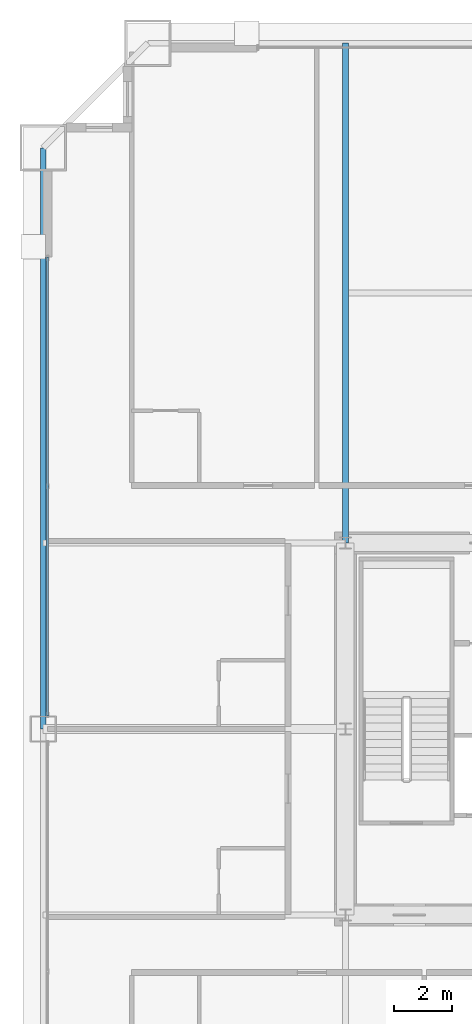
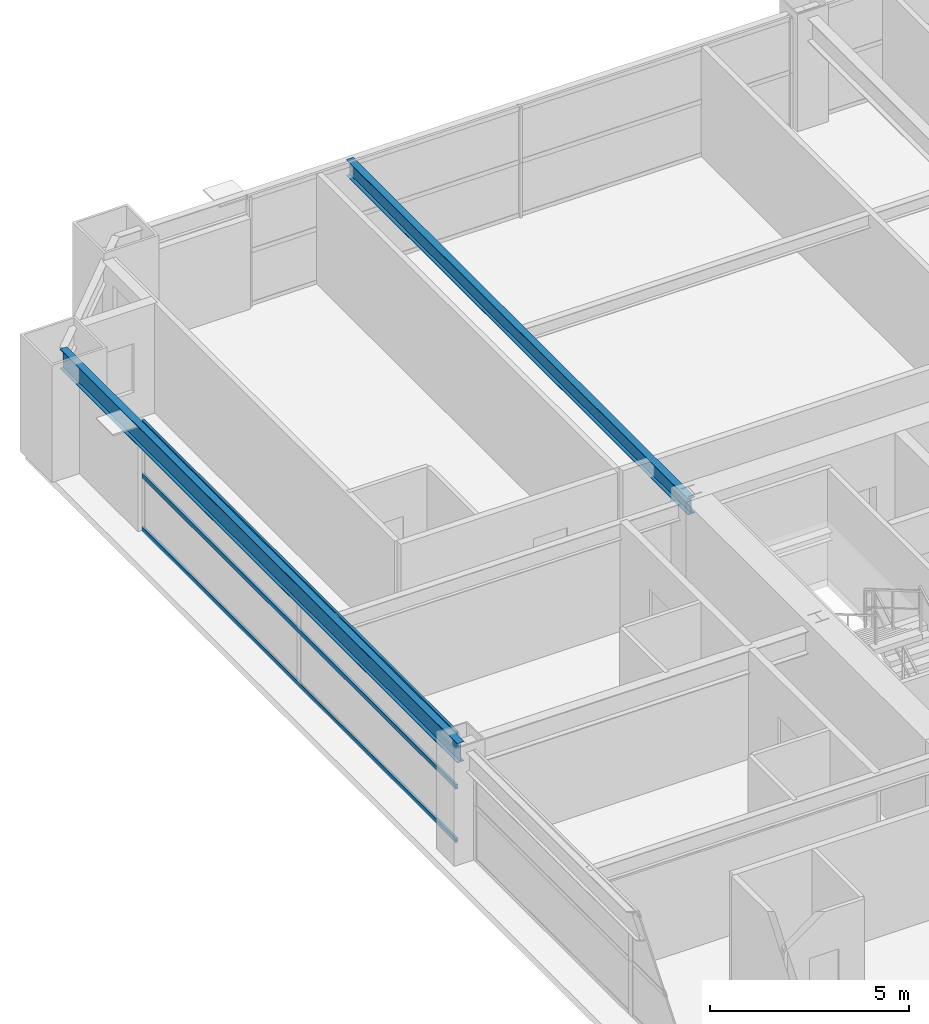
# One storey, part 22 of 39: 3 members, 2 beams, 1 element without a shape of its own.
"""IFC4 building model written with IfcOpenShell, lengths in metres."""

from ifc_helpers import new_model, si_unit, direction, frame, origin, origin_2d, place, context, subcontext, project, spatial, hollow_rectangle, i_section, extrude, source, transform, mapped, material, layer, layer_set, material_profile, profile_set, type_object, element, aggregate, save


model = new_model("IFC4")

# Units and contexts
model_context = context("Model", 3, precision=1e-05, world=origin(), true_north=direction((0.0, 1.0)))
body_context = subcontext(model_context, "Body", "Model", "MODEL_VIEW")
ifc_project = project(units=[si_unit("LENGTHUNIT", "METRE"), si_unit("AREAUNIT", "SQUARE_METRE"), si_unit("VOLUMEUNIT", "CUBIC_METRE"), si_unit("PLANEANGLEUNIT", "RADIAN"), si_unit("MASSUNIT", "GRAM", prefix="KILO"), si_unit("THERMODYNAMICTEMPERATUREUNIT", "KELVIN"), si_unit("POWERUNIT", "WATT")], contexts=[model_context])

# Site, building, storey
site_placement = place(None, origin())
site = spatial("IfcSite", under=ifc_project, at=site_placement, CompositionType="ELEMENT")
building_placement = place(site_placement, origin())
building = spatial("IfcBuilding", under=site, at=building_placement, Name="Yuzanri Waterfront Tower", CompositionType="ELEMENT")
storey_placement = place(building_placement, frame((0.0, 0.0, 141.60009765625)))
storey = spatial("IfcBuildingStorey", under=building, at=storey_placement, Name="L37", CompositionType="ELEMENT", Elevation=141.60009765625)

# Beams
ifc_material_1 = material(Name="Steel Q355B", Category="steel")
ifc_material_profile_1 = material_profile(ifc_material_1, i_section(OverallWidth=0.199951171875, OverallDepth=0.60009765625, WebThickness=0.010986328125, FlangeThickness=0.01708984375, at=origin_2d()), Name="HN 600x200x11x17")
ifc_profile_set_1 = profile_set([ifc_material_profile_1], Name="Steel Q355B")
beam_type_1 = type_object("IfcBeamType", Name="Perimeter Spandrel Q355B HN 600x200", PredefinedType="SPANDREL", material=ifc_profile_set_1)
shared_shape_1 = source(origin(), body_context, "Body", "SweptSolid", [
    extrude(i_section(OverallWidth=0.199951171875, OverallDepth=0.60009765625, WebThickness=0.010986328125, FlangeThickness=0.01708984375, at=origin_2d()), origin(), (0.0, 0.0, 1.0), 20.0),
])
beam_1_placement = place(storey_placement, frame((13.39990234375, 45.800048828125, 3.079833984375), z_axis=(0.0, -1.0, 0.0), x_axis=(1.0, 0.0, 0.0)))
element("IfcBeam", 1, at=beam_1_placement, inside=storey, type_object=beam_type_1, Name="L37 Perimeter Spandrel W3-W2", PredefinedType="SPANDREL", context=body_context, shape_type="MappedRepresentation", body=[
    mapped(shared_shape_1, transform((0.0, 0.0, 0.0), scale=1.0)),
])
ifc_material_2 = material(Name="Steel Q355B", Category="steel")
ifc_material_profile_2 = material_profile(ifc_material_2, i_section(OverallWidth=0.199951171875, OverallDepth=0.5, WebThickness=0.010009765625, FlangeThickness=0.01611328125, at=origin_2d()), Name="HN 500x200x10x16")
ifc_profile_set_2 = profile_set([ifc_material_profile_2], Name="Steel Q355B")
beam_type_2 = type_object("IfcBeamType", Name="Secondary Floor Beam Q355B HN 500x200", PredefinedType="BEAM", material=ifc_profile_set_2)
shared_shape_2 = source(origin(), body_context, "Body", "SweptSolid", [
    extrude(i_section(OverallWidth=0.199951171875, OverallDepth=0.5, WebThickness=0.010009765625, FlangeThickness=0.01611328125, at=origin_2d()), origin(), (0.0, 0.0, 1.0), 17.199951171875),
])
beam_2_placement = place(storey_placement, frame((23.800048828125, 32.199951171875, 3.1298828125), z_axis=(0.0, 1.0, 0.0), x_axis=(-1.0, 0.0, 0.0)))
element("IfcBeam", 2, at=beam_2_placement, inside=storey, type_object=beam_type_2, Name="L37 North-West Core Line Beam", PredefinedType="BEAM", context=body_context, shape_type="MappedRepresentation", body=[
    mapped(shared_shape_2, transform((0.0, 0.0, 0.0), scale=1.0)),
])

# Curtain wall, members
ifc_material_3 = material(Name="Anodized Architectural Bronze", Category="metal")
ifc_layer = layer(ifc_material_3, 0.159912109375)
ifc_layer_set = layer_set([ifc_layer], Name="Anodized Architectural Bronze")
curtain_wall_type = type_object("IfcCurtainWallType", Name="Anodized Bronze Hotel Upper-Tier Solar-Control Unitized Curtain Wall 7800", PredefinedType="NOTDEFINED", material=ifc_layer_set)
curtain_wall_placement = place(storey_placement, origin())
curtain_wall = element("IfcCurtainWall", 3, at=curtain_wall_placement, inside=storey, type_object=curtain_wall_type, Name="L37 Curtain Wall CW-L37-WR", PredefinedType="NOTDEFINED")
ifc_material_4 = material(Name="Anodized Architectural Bronze", Category="metal")
ifc_material_profile_3 = material_profile(ifc_material_4, hollow_rectangle(XDim=0.070068359375, YDim=0.135009765625, WallThickness=0.00341796875, at=origin_2d()), Name="CWT 70x135")
ifc_profile_set_3 = profile_set([ifc_material_profile_3], Name="Anodized Architectural Bronze")
member_type = type_object("IfcMemberType", Name="Anodized Bronze Standard Curtain-Wall Transom 70x135", PredefinedType="USERDEFINED", material=ifc_profile_set_3)
shared_shape_3 = source(origin(), body_context, "Body", "SweptSolid", [
    extrude(hollow_rectangle(XDim=0.070068359375, YDim=0.135009765625, WallThickness=0.00341796875, at=origin_2d()), origin(), (0.0, 0.0, 1.0), 15.800048828125),
])
member_1_placement = place(storey_placement, frame((13.550048828125, 26.25, 0.0498046875), z_axis=(0.0, 1.0, 0.0), x_axis=(-1.0, 0.0, 0.0)))
member_1 = element("IfcMember", 4, at=member_1_placement, type_object=member_type, Name="CW-L37-WR Transom 1", ObjectType="TRANSOM", PredefinedType="USERDEFINED", context=body_context, shape_type="MappedRepresentation", body=[
    mapped(shared_shape_3, transform((0.0, 0.0, 0.0), scale=1.0)),
])
member_2_placement = place(storey_placement, frame((13.550048828125, 26.25, 1.68994140625), z_axis=(0.0, 1.0, 0.0), x_axis=(-1.0, 0.0, 0.0)))
member_2 = element("IfcMember", 5, at=member_2_placement, type_object=member_type, Name="CW-L37-WR Transom 2", ObjectType="TRANSOM", PredefinedType="USERDEFINED", context=body_context, shape_type="MappedRepresentation", body=[
    mapped(shared_shape_3, transform((0.0, 0.0, 0.0), scale=1.0)),
])
member_3_placement = place(storey_placement, frame((13.550048828125, 26.25, 3.329833984375), z_axis=(0.0, 1.0, 0.0), x_axis=(-1.0, 0.0, 0.0)))
member_3 = element("IfcMember", 6, at=member_3_placement, type_object=member_type, Name="CW-L37-WR Transom 3", ObjectType="TRANSOM", PredefinedType="USERDEFINED", context=body_context, shape_type="MappedRepresentation", body=[
    mapped(shared_shape_3, transform((0.0, 0.0, 0.0), scale=1.0)),
])
aggregate(curtain_wall, [member_1, member_2, member_3])

save(model, "model.ifc")
